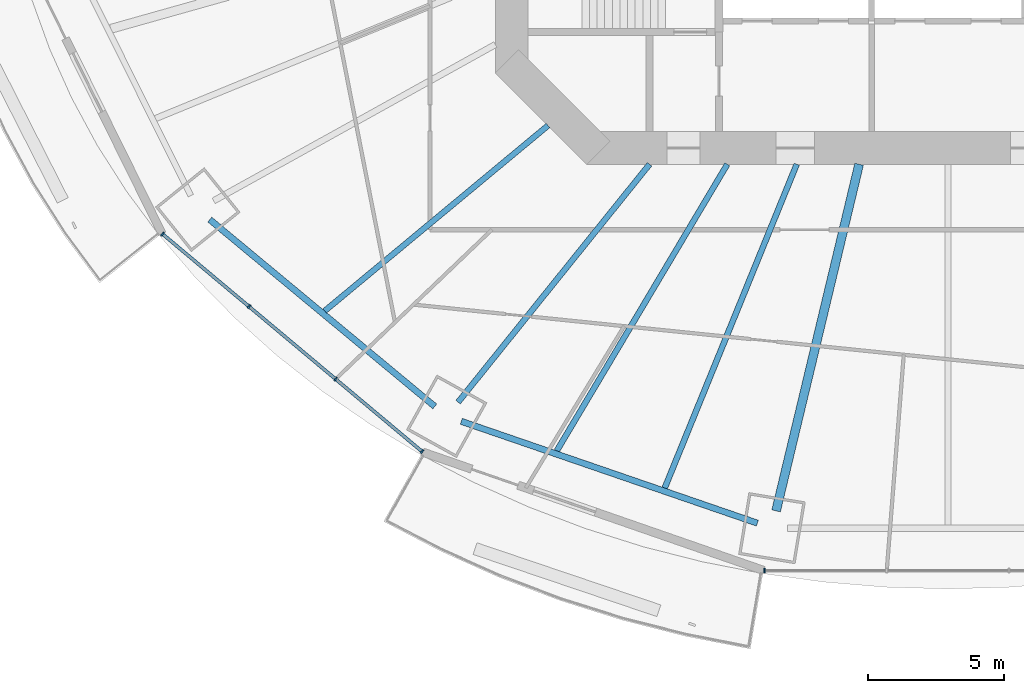
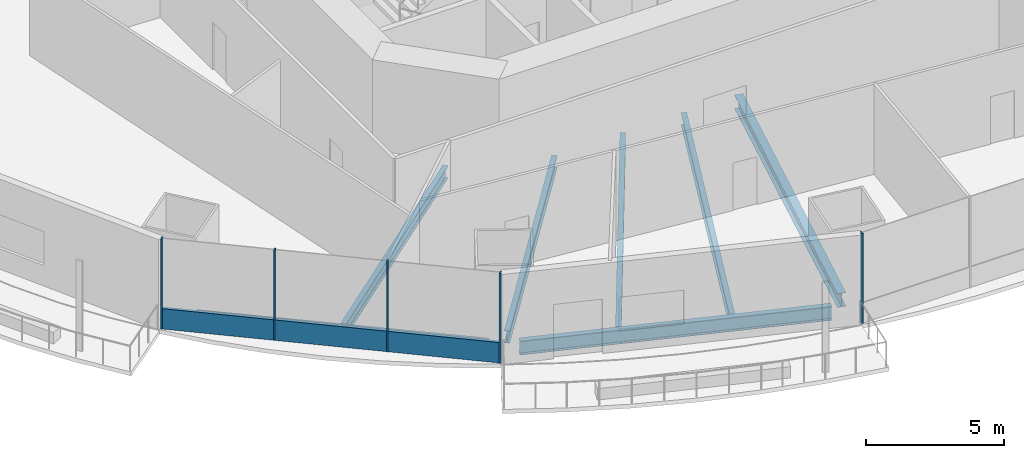
# One storey, part 2 of 22: 7 beams, 6 members, 2 elements without a shape of their own.
"""IFC4 building model written with IfcOpenShell, lengths in metres."""

from ifc_helpers import new_model, si_unit, direction, frame, origin, origin_2d, place, context, subcontext, project, spatial, rectangle, i_section, extrude, material, material_profile, profile_set, type_object, element, aggregate, save


model = new_model("IFC4")

# Units and contexts
model_context = context("Model", 3, precision=1e-05, world=origin(), true_north=direction((0.0, 1.0)))
body_context = subcontext(model_context, "Body", "Model", "MODEL_VIEW")
ifc_project = project(units=[si_unit("LENGTHUNIT", "METRE"), si_unit("AREAUNIT", "SQUARE_METRE"), si_unit("VOLUMEUNIT", "CUBIC_METRE"), si_unit("PLANEANGLEUNIT", "RADIAN"), si_unit("MASSUNIT", "GRAM", prefix="KILO")], contexts=[model_context])

# Site, building, storey
site_placement = place(None, origin())
site = spatial("IfcSite", under=ifc_project, at=site_placement, CompositionType="ELEMENT")
building_placement = place(site_placement, origin())
building = spatial("IfcBuilding", under=site, at=building_placement, Name="Marenthal Gate Tower", CompositionType="ELEMENT")
storey_placement = place(building_placement, frame((0.0, 0.0, 103.550048828125)))
storey = spatial("IfcBuildingStorey", under=building, at=storey_placement, Name="L21", CompositionType="ELEMENT", Elevation=103.550048828125)

# Curtain wall, members
ifc_material_1 = material(Name="Aluminium and glass", Category="aluminium")
curtain_wall_type = type_object("IfcCurtainWallType", Name="Curtain wall typical low", PredefinedType="NOTDEFINED", material=ifc_material_1)
curtain_wall_1_placement = place(storey_placement, origin())
curtain_wall_1 = element("IfcCurtainWall", 1, at=curtain_wall_1_placement, inside=storey, type_object=curtain_wall_type, Name="Curtain wall L21 bay 10", PredefinedType="NOTDEFINED")
ifc_material_2 = material(Name="Aluminium", Category="aluminium")
ifc_material_profile_1 = material_profile(ifc_material_2, rectangle(XDim=0.159912109375, YDim=0.06005859375, at=origin_2d()), Name="60x160 aluminium mullion")
ifc_profile_set_1 = profile_set([ifc_material_profile_1], Name="Aluminium")
member_type_1 = type_object("IfcMemberType", Name="Mullion 60x160 typical low", PredefinedType="MULLION", material=ifc_profile_set_1)
member_1_placement = place(storey_placement, frame((-28.802490234375, -16.16015625, 0.0), z_axis=(0.0, 0.0, 1.0), x_axis=(0.642307658805, 0.766446913648, 0.0)))
member_1 = element("IfcMember", 2, at=member_1_placement, type_object=member_type_1, Name="Mullion L21 bay 10.1", PredefinedType="MULLION", context=body_context, shape_type="SweptSolid", body=[
    extrude(rectangle(XDim=0.159912109375, YDim=0.06005859375, at=origin_2d()), origin(), (0.0, 0.0, 1.0), 3.969970703125),
])
member_2_placement = place(storey_placement, frame((-25.62939453125, -18.8193359375, 0.0), z_axis=(0.0, 0.0, 1.0), x_axis=(0.642307658805, 0.766446913648, 0.0)))
member_2 = element("IfcMember", 3, at=member_2_placement, type_object=member_type_1, Name="Mullion L21 bay 10.2", PredefinedType="MULLION", context=body_context, shape_type="SweptSolid", body=[
    extrude(rectangle(XDim=0.159912109375, YDim=0.06005859375, at=origin_2d()), origin(), (0.0, 0.0, 1.0), 3.969970703125),
])
member_3_placement = place(storey_placement, frame((-22.45654296875, -21.478271484375, 0.0), z_axis=(0.0, 0.0, 1.0), x_axis=(0.642307658805, 0.766446913648, 0.0)))
member_3 = element("IfcMember", 4, at=member_3_placement, type_object=member_type_1, Name="Mullion L21 bay 10.3", PredefinedType="MULLION", context=body_context, shape_type="SweptSolid", body=[
    extrude(rectangle(XDim=0.159912109375, YDim=0.06005859375, at=origin_2d()), origin(), (0.0, 0.0, 1.0), 3.969970703125),
])
member_4_placement = place(storey_placement, frame((-19.283447265625, -24.137451171875, 0.0), z_axis=(0.0, 0.0, 1.0), x_axis=(0.642307658805, 0.766446913648, 0.0)))
member_4 = element("IfcMember", 5, at=member_4_placement, type_object=member_type_1, Name="Mullion L21 bay 10.4", PredefinedType="MULLION", context=body_context, shape_type="SweptSolid", body=[
    extrude(rectangle(XDim=0.159912109375, YDim=0.06005859375, at=origin_2d()), origin(), (0.0, 0.0, 1.0), 3.969970703125),
])

# Curtain wall, member
curtain_wall_2_placement = place(storey_placement, origin())
curtain_wall_2 = element("IfcCurtainWall", 6, at=curtain_wall_2_placement, inside=storey, type_object=curtain_wall_type, Name="Curtain wall L21 bay 12", PredefinedType="NOTDEFINED")
member_5_placement = place(storey_placement, frame((-6.7333984375, -28.494873046875, 0.0), z_axis=(0.0, 0.0, 1.0), x_axis=(0.0, 1.0, 0.0)))
member_5 = element("IfcMember", 7, at=member_5_placement, type_object=member_type_1, Name="Mullion L21 bay 12.1", PredefinedType="MULLION", context=body_context, shape_type="SweptSolid", body=[
    extrude(rectangle(XDim=0.159912109375, YDim=0.06005859375, at=origin_2d()), origin(), (0.0, 0.0, 1.0), 3.969970703125),
])
aggregate(curtain_wall_2, [member_5])

# Member
ifc_material_3 = material(Name="Aluminium", Category="aluminium")
ifc_material_profile_2 = material_profile(ifc_material_3, rectangle(XDim=0.1201171875, YDim=0.89990234375, at=origin_2d()), Name="120x900 aluminium transom")
ifc_profile_set_2 = profile_set([ifc_material_profile_2], Name="Aluminium")
member_type_2 = type_object("IfcMemberType", Name="Transom 120x900 typical low", PredefinedType="USERDEFINED", material=ifc_profile_set_2)
member_6_placement = place(storey_placement, frame((-28.779296875, -16.179443359375, 0.449951171875), z_axis=(0.766442158037, -0.642313333494, 0.0), x_axis=(0.642313333494, 0.766442158037, 0.0)))
member_6 = element("IfcMember", 8, at=member_6_placement, type_object=member_type_2, Name="Transom L21 bay 10", ObjectType="TRANSOM", PredefinedType="USERDEFINED", context=body_context, shape_type="SweptSolid", body=[
    extrude(rectangle(XDim=0.1201171875, YDim=0.89990234375, at=origin_2d()), origin(), (0.0, 0.0, 1.0), 12.359619140625),
])

aggregate(curtain_wall_1, [member_1, member_2, member_3, member_4, member_6])

# Beams
ifc_material_4 = material(Name="Steel S355", Category="steel")
ifc_material_profile_3 = material_profile(ifc_material_4, i_section(OverallWidth=0.2099609375, OverallDepth=0.535888671875, WebThickness=0.010986328125, FlangeThickness=0.017333984375, FilletRadius=0.0126953125, at=origin_2d()), Name="W530X101")
ifc_profile_set_3 = profile_set([ifc_material_profile_3], Name="Steel S355")
beam_type_1 = type_object("IfcBeamType", Name="W530X101 beam", PredefinedType="BEAM", material=ifc_profile_set_3)
beam_1_placement = place(storey_placement, frame((-22.857666015625, -18.978759765625, -0.447998046875), z_axis=(0.769368830907, 0.63880482311, 0.0), x_axis=(-0.63880482311, 0.769368830907, 0.0)))
element("IfcBeam", 9, at=beam_1_placement, inside=storey, type_object=beam_type_1, Name="BM-L21-31", PredefinedType="BEAM", context=body_context, shape_type="SweptSolid", body=[
    extrude(i_section(OverallWidth=0.2099609375, OverallDepth=0.535888671875, WebThickness=0.010986328125, FlangeThickness=0.017333984375, FilletRadius=0.0126953125, at=origin_2d()), origin(), (0.0, 0.0, 1.0), 10.643310546875),
])
ifc_material_5 = material(Name="Steel S355", Category="steel")
ifc_material_profile_4 = material_profile(ifc_material_5, i_section(OverallWidth=0.2119140625, OverallDepth=0.5439453125, WebThickness=0.01318359375, FlangeThickness=0.021240234375, FilletRadius=0.0126953125, at=origin_2d()), Name="W530X123")
ifc_profile_set_4 = profile_set([ifc_material_profile_4], Name="Steel S355")
beam_type_2 = type_object("IfcBeamType", Name="W530X123 beam", PredefinedType="BEAM", material=ifc_profile_set_4)
beam_2_placement = place(storey_placement, frame((-17.964599609375, -22.3232421875, -0.4521484375), z_axis=(0.626952602909, 0.779057400777, 0.0), x_axis=(-0.779057400777, 0.626952602909, 0.0)))
element("IfcBeam", 10, at=beam_2_placement, inside=storey, type_object=beam_type_2, Name="BM-L21-11", PredefinedType="BEAM", context=body_context, shape_type="SweptSolid", body=[
    extrude(i_section(OverallWidth=0.2119140625, OverallDepth=0.5439453125, WebThickness=0.01318359375, FlangeThickness=0.021240234375, FilletRadius=0.0126953125, at=origin_2d()), origin(), (0.0, 0.0, 1.0), 11.197021484375),
])
beam_3_placement = place(storey_placement, frame((-14.346923828125, -24.10986328125, -0.4521484375), z_axis=(0.511368740727, 0.859361397206, 0.0), x_axis=(-0.859361397206, 0.511368740727, 0.0)))
element("IfcBeam", 11, at=beam_3_placement, inside=storey, type_object=beam_type_2, Name="BM-L21-32", PredefinedType="BEAM", context=body_context, shape_type="SweptSolid", body=[
    extrude(i_section(OverallWidth=0.2119140625, OverallDepth=0.5439453125, WebThickness=0.01318359375, FlangeThickness=0.021240234375, FilletRadius=0.0126953125, at=origin_2d()), origin(), (0.0, 0.0, 1.0), 12.229736328125),
])
beam_4_placement = place(storey_placement, frame((-10.3876953125, -25.4716796875, -0.4521484375), z_axis=(0.377613822907, 0.925963174618, 0.0), x_axis=(-0.925963174618, 0.377613822907, 0.0)))
element("IfcBeam", 12, at=beam_4_placement, inside=storey, type_object=beam_type_2, Name="BM-L21-33", PredefinedType="BEAM", context=body_context, shape_type="SweptSolid", body=[
    extrude(i_section(OverallWidth=0.2119140625, OverallDepth=0.5439453125, WebThickness=0.01318359375, FlangeThickness=0.021240234375, FilletRadius=0.0126953125, at=origin_2d()), origin(), (0.0, 0.0, 1.0), 12.82080078125),
])
ifc_material_6 = material(Name="Steel S355", Category="steel")
ifc_material_profile_5 = material_profile(ifc_material_6, i_section(OverallWidth=0.22900390625, OverallDepth=0.612060546875, WebThickness=0.011962890625, FlangeThickness=0.01953125, FilletRadius=0.0126953125, at=origin_2d()), Name="W610X125")
ifc_profile_set_5 = profile_set([ifc_material_profile_5], Name="Steel S355")
beam_type_3 = type_object("IfcBeamType", Name="W610X125 beam", PredefinedType="BEAM", material=ifc_profile_set_5)
beam_5_placement = place(storey_placement, frame((-27.072021484375, -15.628173828125, -0.486083984375), z_axis=(0.769369356562, -0.638804190017, 0.0), x_axis=(0.638804190017, 0.769369356562, 0.0)))
element("IfcBeam", 13, at=beam_5_placement, inside=storey, type_object=beam_type_3, Name="BM-L21-50", PredefinedType="BEAM", context=body_context, shape_type="SweptSolid", body=[
    extrude(i_section(OverallWidth=0.22900390625, OverallDepth=0.612060546875, WebThickness=0.011962890625, FlangeThickness=0.01953125, FilletRadius=0.0126953125, at=origin_2d()), origin(), (0.0, 0.0, 1.0), 10.7255859375),
])
beam_6_placement = place(storey_placement, frame((-17.84716796875, -23.027099609375, -0.486083984375), z_axis=(0.945633885285, -0.325233077963, 0.0), x_axis=(0.325233077963, 0.945633885285, 0.0)))
element("IfcBeam", 14, at=beam_6_placement, inside=storey, type_object=beam_type_3, Name="BM-L21-51", PredefinedType="BEAM", context=body_context, shape_type="SweptSolid", body=[
    extrude(i_section(OverallWidth=0.22900390625, OverallDepth=0.612060546875, WebThickness=0.011962890625, FlangeThickness=0.01953125, FilletRadius=0.0126953125, at=origin_2d()), origin(), (0.0, 0.0, 1.0), 11.482177734375),
])
ifc_material_7 = material(Name="Steel S355", Category="steel")
ifc_material_profile_6 = material_profile(ifc_material_7, i_section(OverallWidth=0.324951171875, OverallDepth=0.612060546875, WebThickness=0.0126953125, FlangeThickness=0.01904296875, FilletRadius=0.0126953125, at=origin_2d()), Name="W610X155")
ifc_profile_set_6 = profile_set([ifc_material_profile_6], Name="Steel S355")
beam_type_4 = type_object("IfcBeamType", Name="W610X155 beam", PredefinedType="BEAM", material=ifc_profile_set_6)
beam_7_placement = place(storey_placement, frame((-6.302978515625, -26.31005859375, -0.486083984375), z_axis=(0.232977289633, 0.972482175937, 0.0), x_axis=(-0.972482175937, 0.232977289633, 0.0)))
element("IfcBeam", 15, at=beam_7_placement, inside=storey, type_object=beam_type_4, Name="BM-L21-12", PredefinedType="BEAM", context=body_context, shape_type="SweptSolid", body=[
    extrude(i_section(OverallWidth=0.324951171875, OverallDepth=0.612060546875, WebThickness=0.0126953125, FlangeThickness=0.01904296875, FilletRadius=0.0126953125, at=origin_2d()), origin(), (0.0, 0.0, 1.0), 13.069580078125),
])

save(model, "model.ifc")
